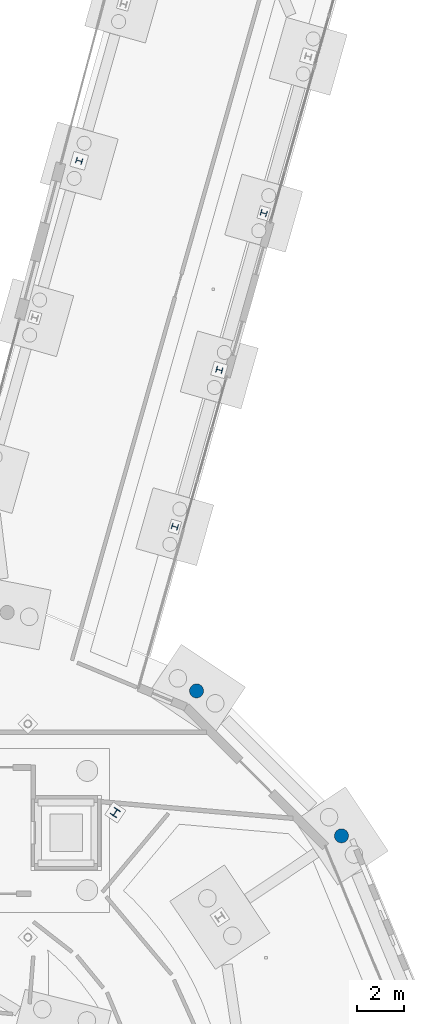
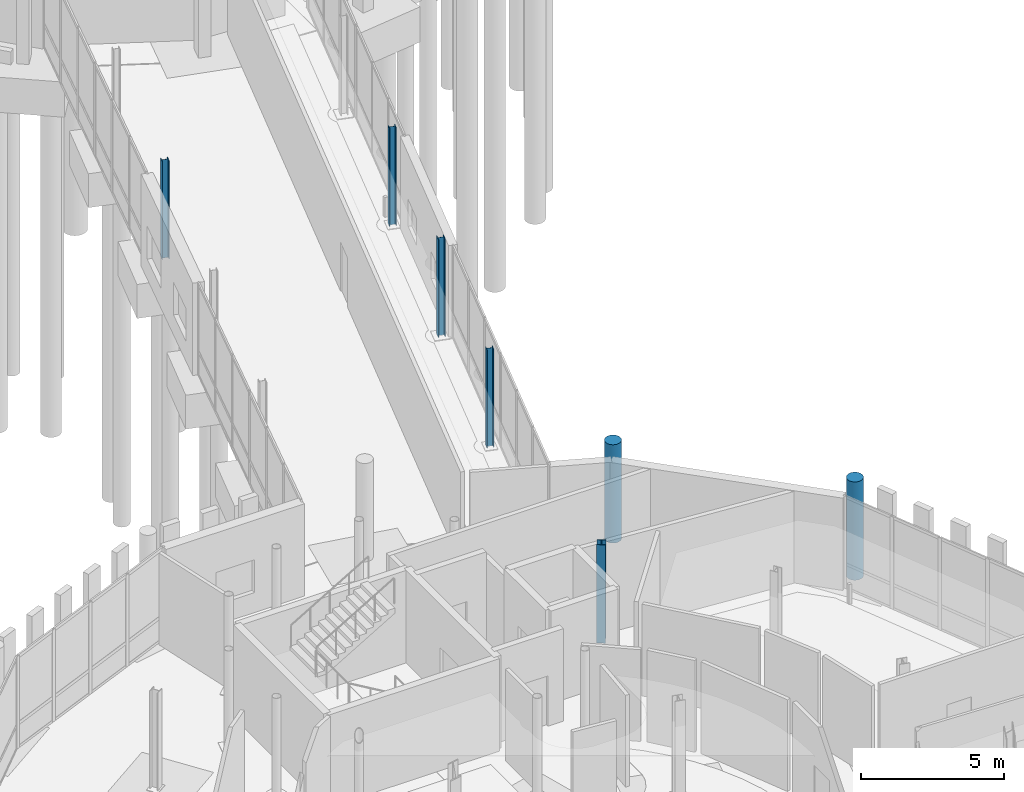
# One storey, part 24 of 113: 7 columns.
"""IFC4 building model written with IfcOpenShell, lengths in metres."""

from ifc_helpers import new_model, si_unit, direction, frame, origin, origin_2d, place, context, subcontext, project, spatial, circle, i_section, extrude, material, material_profile, profile_set, type_object, element, save


model = new_model("IFC4")

# Units and contexts
model_context = context("Model", 3, precision=1e-05, world=origin(), true_north=direction((0.0, 1.0)))
body_context = subcontext(model_context, "Body", "Model", "MODEL_VIEW")
ifc_project = project(units=[si_unit("LENGTHUNIT", "METRE"), si_unit("AREAUNIT", "SQUARE_METRE"), si_unit("VOLUMEUNIT", "CUBIC_METRE"), si_unit("PLANEANGLEUNIT", "RADIAN"), si_unit("MASSUNIT", "GRAM", prefix="KILO")], contexts=[model_context])

# Site, building, storey
site_placement = place(None, origin())
site = spatial("IfcSite", under=ifc_project, at=site_placement, CompositionType="ELEMENT")
building_placement = place(site_placement, origin())
building = spatial("IfcBuilding", under=site, at=building_placement, Name="Wrenclough Park School", CompositionType="ELEMENT")
storey_placement = place(building_placement, origin())
storey = spatial("IfcBuildingStorey", under=building, at=storey_placement, Name="L00", CompositionType="ELEMENT", Elevation=0.0)

# Columns
ifc_material_1 = material(Name="Concrete C40/50", Category="concrete")
ifc_material_profile_1 = material_profile(ifc_material_1, circle(Radius=0.300048828125, at=origin_2d()), Name="RC COL D600")
ifc_profile_set_1 = profile_set([ifc_material_profile_1], Name="Concrete C40/50")
column_type_1 = type_object("IfcColumnType", Name="STR-COL-RCD600", PredefinedType="COLUMN", material=ifc_profile_set_1)
for number, where, z_axis, x_axis, name in (
    (1, (174.16650390625, 38.97265625, 0.0), (0.0, 0.0, 1.0), (-0.55557023302, 0.831469612303, 0.0), "D1 L00 column D1-OUT-02"),
    (2, (167.97265625, 45.16650390625, 0.0), (0.0, 0.0, 1.0), (-0.831469612303, 0.55557023302, 0.0), "D1 L00 column D1-OUT-03"),
):
    element("IfcColumn", number, at=place(storey_placement, frame(where, z_axis=z_axis, x_axis=x_axis)), inside=storey, type_object=column_type_1, Name=name, PredefinedType="COLUMN", context=body_context, shape_type="SweptSolid", body=[
        extrude(circle(Radius=0.300048828125, at=origin_2d()), origin(), (0.0, 0.0, 1.0), 4.199951171875),
    ])
ifc_material_2 = material(Name="Structural steel S355", Category="steel")
ifc_material_profile_2 = material_profile(ifc_material_2, i_section(OverallWidth=0.254638671875, OverallDepth=0.254150390625, WebThickness=0.008544921875, FlangeThickness=0.01416015625, FilletRadius=0.0126953125, at=origin_2d()), Name="UKC 254x254x73")
ifc_profile_set_2 = profile_set([ifc_material_profile_2], Name="Structural steel S355")
column_type_2 = type_object("IfcColumnType", Name="STR-COL-UKC254A", PredefinedType="COLUMN", material=ifc_profile_set_2)
for number, where, z_axis, x_axis, name in (
    (3, (167.04443359375, 52.181396484375, 0.0), (0.0, 0.0, 1.0), (0.272784025857, 0.962075296033, 0.0), "W14 L00 column W14-C1-R04"),
    (4, (168.944580078125, 58.88134765625, 0.0), (0.0, 0.0, 1.0), (0.272784025857, 0.962075296033, 0.0), "W14 L00 column W14-C1-R05"),
    (5, (162.95556640625, 67.818603515625, 0.0), (0.0, 0.0, 1.0), (0.272784025857, 0.962075296033, 0.0), "W14 L00 column W14-C1-L06"),
    (6, (170.844482421875, 65.581298828125, 0.0), (0.0, 0.0, 1.0), (0.272784025857, 0.962075296033, 0.0), "W14 L00 column W14-C1-R06"),
):
    element("IfcColumn", number, at=place(storey_placement, frame(where, z_axis=z_axis, x_axis=x_axis)), inside=storey, type_object=column_type_2, Name=name, PredefinedType="COLUMN", context=body_context, shape_type="SweptSolid", body=[
        extrude(i_section(OverallWidth=0.254638671875, OverallDepth=0.254150390625, WebThickness=0.008544921875, FlangeThickness=0.01416015625, FilletRadius=0.0126953125, at=origin_2d()), origin(), (0.0, 0.0, 1.0), 4.199951171875),
    ])
ifc_material_profile_3 = material_profile(ifc_material_2, i_section(OverallWidth=0.311279296875, OverallDepth=0.3271484375, WebThickness=0.015869140625, FlangeThickness=0.02490234375, FilletRadius=0.01513671875, at=origin_2d()), Name="UKC 305x305x158")
ifc_profile_set_3 = profile_set([ifc_material_profile_3], Name="Structural steel S355")
column_type_3 = type_object("IfcColumnType", Name="STR-COL-UKC305B", PredefinedType="COLUMN", material=ifc_profile_set_3)
column_placement = place(storey_placement, frame((164.500244140625, 39.9697265625, 0.0), z_axis=(0.0, 0.0, 1.0), x_axis=(-0.831469612303, 0.55557023302, 0.0)))
element("IfcColumn", 7, at=column_placement, inside=storey, type_object=column_type_3, Name="D1 L00 column D1-MID-03", PredefinedType="COLUMN", context=body_context, shape_type="SweptSolid", body=[
    extrude(i_section(OverallWidth=0.311279296875, OverallDepth=0.3271484375, WebThickness=0.015869140625, FlangeThickness=0.02490234375, FilletRadius=0.01513671875, at=origin_2d()), origin(), (0.0, 0.0, 1.0), 4.199951171875),
])

save(model, "model.ifc")
